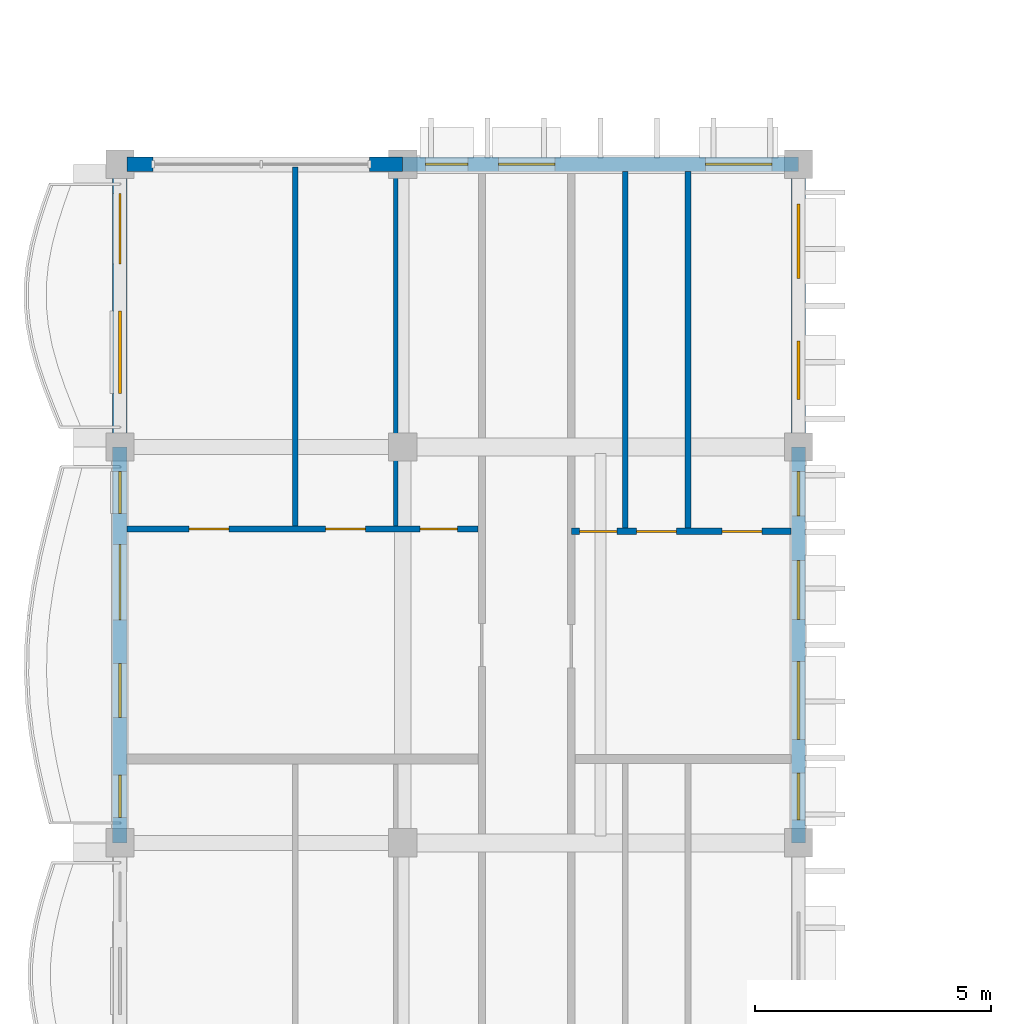
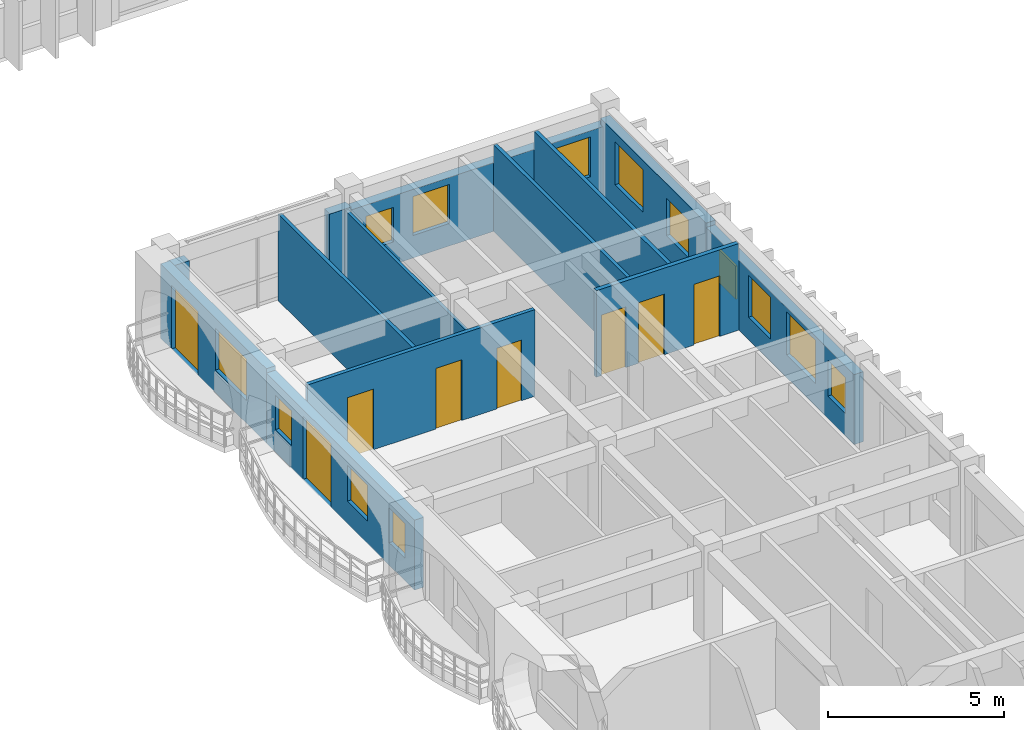
# One storey, part 28 of 76: 13 walls, 13 windows, 8 doors, 21 openings.
"""IFC4 building model written with IfcOpenShell, lengths in metres."""

from ifc_helpers import new_model, si_unit, direction, frame, frame_2d, origin, place, context, subcontext, project, spatial, rectangle, extrude, material, layer, layer_set, type_object, element, fill, save


model = new_model("IFC4")

# Units and contexts
model_context = context("Model", 3, precision=1e-05, world=origin(), true_north=direction((0.0, 1.0)))
body_context = subcontext(model_context, "Body", "Model", "MODEL_VIEW")
ifc_project = project(units=[si_unit("LENGTHUNIT", "METRE"), si_unit("AREAUNIT", "SQUARE_METRE"), si_unit("VOLUMEUNIT", "CUBIC_METRE"), si_unit("PLANEANGLEUNIT", "RADIAN"), si_unit("MASSUNIT", "GRAM", prefix="KILO"), si_unit("THERMODYNAMICTEMPERATUREUNIT", "KELVIN")], contexts=[model_context])

# Site, building, storey
site_placement = place(None, origin())
site = spatial("IfcSite", under=ifc_project, at=site_placement, CompositionType="ELEMENT")
building_placement = place(site_placement, origin())
building = spatial("IfcBuilding", under=site, at=building_placement, Name="Thalorik Housing Commons", CompositionType="ELEMENT")
storey_placement = place(building_placement, frame((0.0, 0.0, 18.0)))
storey = spatial("IfcBuildingStorey", under=building, at=storey_placement, Name="L05", CompositionType="ELEMENT", Elevation=18.0)

# Wall, openings, windows
ifc_material_1 = material(Name="White precast concrete C40/50", Category="concrete")
ifc_layer_1 = layer(ifc_material_1, 0.304931640625, Name="White precast concrete C40/50", Category="concrete")
ifc_layer_set_1 = layer_set([ifc_layer_1], Name="White precast concrete C40/50")
wall_type_1 = type_object("IfcWallType", Name="ARC-WAL-EXT-305", PredefinedType="STANDARD", material=ifc_layer_set_1)
wall_1_placement = place(storey_placement, frame((22.800048828125, 43.199951171875, 0.0), z_axis=(0.0, 0.0, 1.0), x_axis=(0.0, 1.0, 0.0)))
wall_1 = element("IfcWall", 1, at=wall_1_placement, inside=storey, type_object=wall_type_1, Name="L05 Exterior Wall WAL-EXT-L05-C-0964", PredefinedType="STANDARD", context=body_context, shape_type="SweptSolid", body=[
    extrude(rectangle(XDim=8.400146484375, YDim=0.304931640625, at=frame_2d((4.2001953125, 0.0))), origin(), (0.0, 0.0, 1.0), 2.425048828125),
])
opening_1_placement = place(wall_1_placement, frame((0.485107421875, 0.0, 0.780029296875)))
opening_1 = element("IfcOpeningElement", 2, at=opening_1_placement, cuts=wall_1, Name="Opening W-02", PredefinedType="OPENING", context=body_context, shape_type="SweptSolid", body=[
    extrude(rectangle(XDim=1.0, YDim=1.25, at=frame_2d((0.5, 0.625))), frame((0.0, 0.16259765625, 0.0), z_axis=(0.0, -1.0, 0.0), x_axis=(1.0, 0.0, 0.0)), (0.0, 0.0, 1.0), 0.324951171875),
])
opening_2_placement = place(wall_1_placement, frame((2.197265625, 0.0, 0.780029296875)))
opening_2 = element("IfcOpeningElement", 3, at=opening_2_placement, cuts=wall_1, Name="Opening W-15", PredefinedType="OPENING", context=body_context, shape_type="SweptSolid", body=[
    extrude(rectangle(XDim=1.64990234375, YDim=1.5, at=frame_2d((0.824951171875, 0.75))), frame((0.0, 0.16259765625, 0.0), z_axis=(0.0, -1.0, 0.0), x_axis=(1.0, 0.0, 0.0)), (0.0, 0.0, 1.0), 0.324951171875),
])
opening_3_placement = place(wall_1_placement, frame((4.74169921875, 0.0, 0.780029296875)))
opening_3 = element("IfcOpeningElement", 4, at=opening_3_placement, cuts=wall_1, Name="Opening W-47", PredefinedType="OPENING", context=body_context, shape_type="SweptSolid", body=[
    extrude(rectangle(XDim=1.25, YDim=1.449951171875, at=frame_2d((0.625, 0.72509765625))), frame((0.0, 0.16259765625, 0.0), z_axis=(0.0, -1.0, 0.0), x_axis=(1.0, 0.0, 0.0)), (0.0, 0.0, 1.0), 0.324951171875),
])
opening_4_placement = place(wall_1_placement, frame((6.934326171875, 0.0, 0.780029296875)))
opening_4 = element("IfcOpeningElement", 5, at=opening_4_placement, cuts=wall_1, Name="Opening W-43", PredefinedType="OPENING", context=body_context, shape_type="SweptSolid", body=[
    extrude(rectangle(XDim=0.949951171875, YDim=1.14990234375, at=frame_2d((0.47509765625, 0.574951171875))), frame((0.0, 0.16259765625, 0.0), z_axis=(0.0, -1.0, 0.0), x_axis=(1.0, 0.0, 0.0)), (0.0, 0.0, 1.0), 0.324951171875),
])
ifc_material_2 = material(Name="Anodised aluminium and solar-control low-E glass", Category="aluminium")
window_type_1 = type_object("IfcWindowType", Name="ARC-WIN-02", PartitioningType="SINGLE_PANEL", PredefinedType="WINDOW", material=ifc_material_2)
window_1_placement = place(opening_1_placement, origin())
window_1 = element("IfcWindow", 6, at=window_1_placement, inside=storey, type_object=window_type_1, Name="L05 Facade Window 1782", OverallHeight=1.25, OverallWidth=1.0, PartitioningType="SINGLE_PANEL", PredefinedType="WINDOW", context=body_context, shape_type="SweptSolid", body=[
    extrude(rectangle(XDim=1.0, YDim=1.25, at=frame_2d((0.5, 0.625))), frame((0.0, 0.030029296875, 0.0), z_axis=(0.0, -1.0, 0.0), x_axis=(1.0, 0.0, 0.0)), (0.0, 0.0, 1.0), 0.06005859375),
])
fill(opening_1, window_1)
window_type_2 = type_object("IfcWindowType", Name="ARC-WIN-15", PartitioningType="DOUBLE_PANEL_VERTICAL", PredefinedType="WINDOW", material=ifc_material_2)
window_2_placement = place(opening_2_placement, origin())
window_2 = element("IfcWindow", 7, at=window_2_placement, inside=storey, type_object=window_type_2, Name="L05 Facade Window 1783", OverallHeight=1.5, OverallWidth=1.64990234375, PartitioningType="DOUBLE_PANEL_VERTICAL", PredefinedType="WINDOW", context=body_context, shape_type="SweptSolid", body=[
    extrude(rectangle(XDim=1.64990234375, YDim=1.5, at=frame_2d((0.824951171875, 0.75))), frame((0.0, 0.030029296875, 0.0), z_axis=(0.0, -1.0, 0.0), x_axis=(1.0, 0.0, 0.0)), (0.0, 0.0, 1.0), 0.06005859375),
])
fill(opening_2, window_2)
window_type_3 = type_object("IfcWindowType", Name="ARC-WIN-43", PartitioningType="SINGLE_PANEL", PredefinedType="WINDOW", material=ifc_material_2)
window_3_placement = place(opening_4_placement, origin())
window_3 = element("IfcWindow", 8, at=window_3_placement, inside=storey, type_object=window_type_3, Name="L05 Facade Window 1785", OverallHeight=1.14990234375, OverallWidth=0.949951171875, PartitioningType="SINGLE_PANEL", PredefinedType="WINDOW", context=body_context, shape_type="SweptSolid", body=[
    extrude(rectangle(XDim=0.949951171875, YDim=1.14990234375, at=frame_2d((0.47509765625, 0.574951171875))), frame((0.0, 0.030029296875, 0.0), z_axis=(0.0, -1.0, 0.0), x_axis=(1.0, 0.0, 0.0)), (0.0, 0.0, 1.0), 0.06005859375),
])
fill(opening_4, window_3)
window_type_4 = type_object("IfcWindowType", Name="ARC-WIN-47", PartitioningType="SINGLE_PANEL", PredefinedType="WINDOW", material=ifc_material_2)
window_4_placement = place(opening_3_placement, origin())
window_4 = element("IfcWindow", 9, at=window_4_placement, inside=storey, type_object=window_type_4, Name="L05 Facade Window 1784", OverallHeight=1.449951171875, OverallWidth=1.25, PartitioningType="SINGLE_PANEL", PredefinedType="WINDOW", context=body_context, shape_type="SweptSolid", body=[
    extrude(rectangle(XDim=1.25, YDim=1.449951171875, at=frame_2d((0.625, 0.72509765625))), frame((0.0, 0.030029296875, 0.0), z_axis=(0.0, -1.0, 0.0), x_axis=(1.0, 0.0, 0.0)), (0.0, 0.0, 1.0), 0.06005859375),
])
fill(opening_3, window_4)

wall_2_placement = place(storey_placement, frame((22.800048828125, 51.60009765625, 0.0), z_axis=(0.0, 0.0, 1.0), x_axis=(0.0, 1.0, 0.0)))
wall_2 = element("IfcWall", 10, at=wall_2_placement, inside=storey, type_object=wall_type_1, Name="L05 Exterior Wall WAL-EXT-L05-C-0965", PredefinedType="STANDARD", context=body_context, shape_type="SweptSolid", body=[
    extrude(rectangle(XDim=6.0, YDim=0.304931640625, at=frame_2d((3.0, 0.0))), origin(), (0.0, 0.0, 1.0), 2.574951171875),
])
opening_5_placement = place(wall_2_placement, frame((1.0048828125, 0.0, 0.780029296875)))
opening_5 = element("IfcOpeningElement", 11, at=opening_5_placement, cuts=wall_2, Name="Opening W-46", PredefinedType="OPENING", context=body_context, shape_type="SweptSolid", body=[
    extrude(rectangle(XDim=1.25, YDim=1.300048828125, at=frame_2d((0.625, 0.64990234375))), frame((0.0, 0.16259765625, 0.0), z_axis=(0.0, -1.0, 0.0), x_axis=(1.0, 0.0, 0.0)), (0.0, 0.0, 1.0), 0.324951171875),
])
opening_6_placement = place(wall_2_placement, frame((3.580078125, 0.0, 0.780029296875)))
opening_6 = element("IfcOpeningElement", 12, at=opening_6_placement, cuts=wall_2, Name="Opening W-53", PredefinedType="OPENING", context=body_context, shape_type="SweptSolid", body=[
    extrude(rectangle(XDim=1.580078125, YDim=1.47998046875, at=frame_2d((0.7900390625, 0.739990234375))), frame((0.0, 0.16259765625, 0.0), z_axis=(0.0, -1.0, 0.0), x_axis=(1.0, 0.0, 0.0)), (0.0, 0.0, 1.0), 0.324951171875),
])
window_type_5 = type_object("IfcWindowType", Name="ARC-WIN-46", PartitioningType="SINGLE_PANEL", PredefinedType="WINDOW", material=ifc_material_2)
window_5_placement = place(opening_5_placement, origin())
window_5 = element("IfcWindow", 13, at=window_5_placement, inside=storey, type_object=window_type_5, Name="L05 Facade Window 1786", OverallHeight=1.300048828125, OverallWidth=1.25, PartitioningType="SINGLE_PANEL", PredefinedType="WINDOW", context=body_context, shape_type="SweptSolid", body=[
    extrude(rectangle(XDim=1.25, YDim=1.300048828125, at=frame_2d((0.625, 0.64990234375))), frame((0.0, 0.030029296875, 0.0), z_axis=(0.0, -1.0, 0.0), x_axis=(1.0, 0.0, 0.0)), (0.0, 0.0, 1.0), 0.06005859375),
])
fill(opening_5, window_5)
window_type_6 = type_object("IfcWindowType", Name="ARC-WIN-53", PartitioningType="SINGLE_PANEL", PredefinedType="WINDOW", material=ifc_material_2)
window_6_placement = place(opening_6_placement, origin())
window_6 = element("IfcWindow", 14, at=window_6_placement, inside=storey, type_object=window_type_6, Name="L05 Facade Window 1787", OverallHeight=1.47998046875, OverallWidth=1.580078125, PartitioningType="SINGLE_PANEL", PredefinedType="WINDOW", context=body_context, shape_type="SweptSolid", body=[
    extrude(rectangle(XDim=1.580078125, YDim=1.47998046875, at=frame_2d((0.7900390625, 0.739990234375))), frame((0.0, 0.030029296875, 0.0), z_axis=(0.0, -1.0, 0.0), x_axis=(1.0, 0.0, 0.0)), (0.0, 0.0, 1.0), 0.06005859375),
])
fill(opening_6, window_6)

wall_3_placement = place(storey_placement, frame((22.800048828125, 57.60009765625, 0.0), z_axis=(0.0, 0.0, 1.0), x_axis=(-1.0, 0.0, 0.0)))
wall_3 = element("IfcWall", 15, at=wall_3_placement, inside=storey, type_object=wall_type_1, Name="L05 Exterior Wall WAL-EXT-L05-C-0966", PredefinedType="STANDARD", context=body_context, shape_type="SweptSolid", body=[
    extrude(rectangle(XDim=8.400146484375, YDim=0.304931640625, at=frame_2d((4.2001953125, 0.0))), origin(), (0.0, 0.0, 1.0), 2.375),
])
opening_7_placement = place(wall_3_placement, frame((0.557373046875, 0.0, 0.780029296875)))
opening_7 = element("IfcOpeningElement", 16, at=opening_7_placement, cuts=wall_3, Name="Opening W-50", PredefinedType="OPENING", context=body_context, shape_type="SweptSolid", body=[
    extrude(rectangle(XDim=1.419921875, YDim=1.3798828125, at=frame_2d((0.7099609375, 0.68994140625))), frame((0.0, 0.16259765625, 0.0), z_axis=(0.0, -1.0, 0.0), x_axis=(1.0, 0.0, 0.0)), (0.0, 0.0, 1.0), 0.324951171875),
])
opening_8_placement = place(wall_3_placement, frame((5.169921875, 0.0, 0.780029296875)))
opening_8 = element("IfcOpeningElement", 17, at=opening_8_placement, cuts=wall_3, Name="Opening W-04", PredefinedType="OPENING", context=body_context, shape_type="SweptSolid", body=[
    extrude(rectangle(XDim=1.199951171875, YDim=1.35009765625, at=frame_2d((0.60009765625, 0.675048828125))), frame((0.0, 0.16259765625, 0.0), z_axis=(0.0, -1.0, 0.0), x_axis=(1.0, 0.0, 0.0)), (0.0, 0.0, 1.0), 0.324951171875),
])
opening_9_placement = place(wall_3_placement, frame((7.014892578125, 0.0, 0.780029296875)))
opening_9 = element("IfcOpeningElement", 18, at=opening_9_placement, cuts=wall_3, Name="Opening W-01", PredefinedType="OPENING", context=body_context, shape_type="SweptSolid", body=[
    extrude(rectangle(XDim=0.89990234375, YDim=1.199951171875, at=frame_2d((0.449951171875, 0.60009765625))), frame((0.0, 0.16259765625, 0.0), z_axis=(0.0, -1.0, 0.0), x_axis=(1.0, 0.0, 0.0)), (0.0, 0.0, 1.0), 0.324951171875),
])
window_type_7 = type_object("IfcWindowType", Name="ARC-WIN-01", PartitioningType="SINGLE_PANEL", PredefinedType="WINDOW", material=ifc_material_2)
window_7_placement = place(opening_9_placement, origin())
window_7 = element("IfcWindow", 19, at=window_7_placement, inside=storey, type_object=window_type_7, Name="L05 Facade Window 1790", OverallHeight=1.199951171875, OverallWidth=0.89990234375, PartitioningType="SINGLE_PANEL", PredefinedType="WINDOW", context=body_context, shape_type="SweptSolid", body=[
    extrude(rectangle(XDim=0.89990234375, YDim=1.199951171875, at=frame_2d((0.449951171875, 0.60009765625))), frame((0.0, 0.030029296875, 0.0), z_axis=(0.0, -1.0, 0.0), x_axis=(1.0, 0.0, 0.0)), (0.0, 0.0, 1.0), 0.06005859375),
])
fill(opening_9, window_7)
window_type_8 = type_object("IfcWindowType", Name="ARC-WIN-04", PartitioningType="SINGLE_PANEL", PredefinedType="WINDOW", material=ifc_material_2)
window_8_placement = place(opening_8_placement, origin())
window_8 = element("IfcWindow", 20, at=window_8_placement, inside=storey, type_object=window_type_8, Name="L05 Facade Window 1789", OverallHeight=1.35009765625, OverallWidth=1.199951171875, PartitioningType="SINGLE_PANEL", PredefinedType="WINDOW", context=body_context, shape_type="SweptSolid", body=[
    extrude(rectangle(XDim=1.199951171875, YDim=1.35009765625, at=frame_2d((0.60009765625, 0.675048828125))), frame((0.0, 0.030029296875, 0.0), z_axis=(0.0, -1.0, 0.0), x_axis=(1.0, 0.0, 0.0)), (0.0, 0.0, 1.0), 0.06005859375),
])
fill(opening_8, window_8)
window_type_9 = type_object("IfcWindowType", Name="ARC-WIN-50", PartitioningType="SINGLE_PANEL", PredefinedType="WINDOW", material=ifc_material_2)
window_9_placement = place(opening_7_placement, origin())
window_9 = element("IfcWindow", 21, at=window_9_placement, inside=storey, type_object=window_type_9, Name="L05 Facade Window 1788", OverallHeight=1.3798828125, OverallWidth=1.419921875, PartitioningType="SINGLE_PANEL", PredefinedType="WINDOW", context=body_context, shape_type="SweptSolid", body=[
    extrude(rectangle(XDim=1.419921875, YDim=1.3798828125, at=frame_2d((0.7099609375, 0.68994140625))), frame((0.0, 0.030029296875, 0.0), z_axis=(0.0, -1.0, 0.0), x_axis=(1.0, 0.0, 0.0)), (0.0, 0.0, 1.0), 0.06005859375),
])
fill(opening_7, window_9)

# Walls
wall_4_placement = place(storey_placement, frame((14.39990234375, 57.60009765625, 0.0), z_axis=(0.0, 0.0, 1.0), x_axis=(-1.0, 0.0, 0.0)))
element("IfcWall", 22, at=wall_4_placement, inside=storey, type_object=wall_type_1, Name="L05 Exterior Wall WAL-PIERL-L05-C-0967", PredefinedType="STANDARD", context=body_context, shape_type="SweptSolid", body=[
    extrude(rectangle(XDim=0.699951171875, YDim=0.304931640625, at=frame_2d((0.35009765625, 0.0))), origin(), (0.0, 0.0, 1.0), 2.47509765625),
])
wall_5_placement = place(storey_placement, frame((9.10009765625, 57.60009765625, 0.0), z_axis=(0.0, 0.0, 1.0), x_axis=(-1.0, 0.0, 0.0)))
element("IfcWall", 23, at=wall_5_placement, inside=storey, type_object=wall_type_1, Name="L05 Exterior Wall WAL-PIERR-L05-C-0967", PredefinedType="STANDARD", context=body_context, shape_type="SweptSolid", body=[
    extrude(rectangle(XDim=0.545654296875, YDim=0.304931640625, at=frame_2d((0.27294921875, 0.0))), origin(), (0.0, 0.0, 1.0), 2.47509765625),
])

# Wall, openings, door, window
wall_6_placement = place(storey_placement, frame((8.39990234375, 57.60009765625, 0.0), z_axis=(0.0, 0.0, 1.0), x_axis=(0.0, -1.0, 0.0)))
wall_6 = element("IfcWall", 24, at=wall_6_placement, inside=storey, type_object=wall_type_1, Name="L05 Exterior Wall WAL-EXT-L05-C-0968", PredefinedType="STANDARD", context=body_context, shape_type="SweptSolid", body=[
    extrude(rectangle(XDim=6.0, YDim=0.304931640625, at=frame_2d((3.0, 0.0))), origin(), (0.0, 0.0, 1.0), 2.574951171875),
])
opening_10_placement = place(wall_6_placement, frame((0.6201171875, 0.0, 0.0)))
opening_10 = element("IfcOpeningElement", 25, at=opening_10_placement, cuts=wall_6, Name="Opening ED-0318", PredefinedType="OPENING", context=body_context, shape_type="SweptSolid", body=[
    extrude(rectangle(XDim=1.5, YDim=2.199951171875, at=frame_2d((0.75, 1.10009765625))), frame((0.0, 0.16259765625, 0.0), z_axis=(0.0, -1.0, 0.0), x_axis=(1.0, 0.0, 0.0)), (0.0, 0.0, 1.0), 0.324951171875),
])
opening_11_placement = place(wall_6_placement, frame((3.114990234375, 0.0, 0.780029296875)))
opening_11 = element("IfcOpeningElement", 26, at=opening_11_placement, cuts=wall_6, Name="Opening W-17", PredefinedType="OPENING", context=body_context, shape_type="SweptSolid", body=[
    extrude(rectangle(XDim=1.75, YDim=1.449951171875, at=frame_2d((0.875, 0.72509765625))), frame((0.0, 0.16259765625, 0.0), z_axis=(0.0, -1.0, 0.0), x_axis=(1.0, 0.0, 0.0)), (0.0, 0.0, 1.0), 0.324951171875),
])
ifc_material_3 = material(Name="Anodised aluminium and laminated safety glass", Category="aluminium")
door_type_1 = type_object("IfcDoorType", Name="ARC-DR-BAL-1500", OperationType="NOTDEFINED", PredefinedType="DOOR", material=ifc_material_3)
door_1_placement = place(opening_10_placement, frame((1.5, 0.0, 0.0), z_axis=(0.0, 0.0, 1.0), x_axis=(-1.0, 0.0, 0.0)))
door_1 = element("IfcDoor", 27, at=door_1_placement, inside=storey, type_object=door_type_1, Name="L05 Block C Balcony Glazed Door", OperationType="SLIDING_TO_RIGHT", OverallHeight=2.199951171875, OverallWidth=1.5, PredefinedType="DOOR", context=body_context, shape_type="SweptSolid", body=[
    extrude(rectangle(XDim=1.5, YDim=2.199951171875, at=frame_2d((0.75, 1.10009765625))), frame((0.0, 0.02490234375, 0.0), z_axis=(0.0, -1.0, 0.0), x_axis=(1.0, 0.0, 0.0)), (0.0, 0.0, 1.0), 0.050048828125),
])
fill(opening_10, door_1)
window_type_10 = type_object("IfcWindowType", Name="ARC-WIN-17", PartitioningType="DOUBLE_PANEL_VERTICAL", PredefinedType="WINDOW", material=ifc_material_2)
window_10_placement = place(opening_11_placement, origin())
window_10 = element("IfcWindow", 28, at=window_10_placement, inside=storey, type_object=window_type_10, Name="L05 Facade Window 1791", OverallHeight=1.449951171875, OverallWidth=1.75, PartitioningType="DOUBLE_PANEL_VERTICAL", PredefinedType="WINDOW", context=body_context, shape_type="SweptSolid", body=[
    extrude(rectangle(XDim=1.75, YDim=1.449951171875, at=frame_2d((0.875, 0.72509765625))), frame((0.0, 0.030029296875, 0.0), z_axis=(0.0, -1.0, 0.0), x_axis=(1.0, 0.0, 0.0)), (0.0, 0.0, 1.0), 0.06005859375),
])
fill(opening_11, window_10)

# Wall, openings, door, windows
wall_7_placement = place(storey_placement, frame((8.39990234375, 51.60009765625, 0.0), z_axis=(0.0, 0.0, 1.0), x_axis=(0.0, -1.0, 0.0)))
wall_7 = element("IfcWall", 29, at=wall_7_placement, inside=storey, type_object=wall_type_1, Name="L05 Exterior Wall WAL-EXT-L05-C-0969", PredefinedType="STANDARD", context=body_context, shape_type="SweptSolid", body=[
    extrude(rectangle(XDim=8.400146484375, YDim=0.304931640625, at=frame_2d((4.2001953125, 0.0))), origin(), (0.0, 0.0, 1.0), 2.425048828125),
])
opening_12_placement = place(wall_7_placement, frame((2.070068359375, 0.0, 0.0)))
opening_12 = element("IfcOpeningElement", 30, at=opening_12_placement, cuts=wall_7, Name="Opening ED-0319", PredefinedType="OPENING", context=body_context, shape_type="SweptSolid", body=[
    extrude(rectangle(XDim=1.60009765625, YDim=2.199951171875, at=frame_2d((0.800048828125, 1.10009765625))), frame((0.0, 0.16259765625, 0.0), z_axis=(0.0, -1.0, 0.0), x_axis=(1.0, 0.0, 0.0)), (0.0, 0.0, 1.0), 0.324951171875),
])
opening_13_placement = place(wall_7_placement, frame((0.514892578125, 0.0, 0.780029296875)))
opening_13 = element("IfcOpeningElement", 31, at=opening_13_placement, cuts=wall_7, Name="Opening W-01", PredefinedType="OPENING", context=body_context, shape_type="SweptSolid", body=[
    extrude(rectangle(XDim=0.89990234375, YDim=1.199951171875, at=frame_2d((0.449951171875, 0.60009765625))), frame((0.0, 0.16259765625, 0.0), z_axis=(0.0, -1.0, 0.0), x_axis=(1.0, 0.0, 0.0)), (0.0, 0.0, 1.0), 0.324951171875),
])
opening_14_placement = place(wall_7_placement, frame((4.594970703125, 0.0, 0.780029296875)))
opening_14 = element("IfcOpeningElement", 32, at=opening_14_placement, cuts=wall_7, Name="Opening W-45", PredefinedType="OPENING", context=body_context, shape_type="SweptSolid", body=[
    extrude(rectangle(XDim=1.14990234375, YDim=1.25, at=frame_2d((0.574951171875, 0.625))), frame((0.0, 0.16259765625, 0.0), z_axis=(0.0, -1.0, 0.0), x_axis=(1.0, 0.0, 0.0)), (0.0, 0.0, 1.0), 0.324951171875),
])
opening_15_placement = place(wall_7_placement, frame((6.965087890625, 0.0, 0.780029296875)))
opening_15 = element("IfcOpeningElement", 33, at=opening_15_placement, cuts=wall_7, Name="Opening W-01", PredefinedType="OPENING", context=body_context, shape_type="SweptSolid", body=[
    extrude(rectangle(XDim=0.89990234375, YDim=1.199951171875, at=frame_2d((0.449951171875, 0.60009765625))), frame((0.0, 0.16259765625, 0.0), z_axis=(0.0, -1.0, 0.0), x_axis=(1.0, 0.0, 0.0)), (0.0, 0.0, 1.0), 0.324951171875),
])
door_type_2 = type_object("IfcDoorType", Name="ARC-DR-BAL-1600", OperationType="NOTDEFINED", PredefinedType="DOOR", material=ifc_material_3)
door_2_placement = place(opening_12_placement, frame((1.60009765625, 0.0, 0.0), z_axis=(0.0, 0.0, 1.0), x_axis=(-1.0, 0.0, 0.0)))
door_2 = element("IfcDoor", 34, at=door_2_placement, inside=storey, type_object=door_type_2, Name="L05 Block C Balcony Glazed Door", OperationType="SLIDING_TO_LEFT", OverallHeight=2.199951171875, OverallWidth=1.60009765625, PredefinedType="DOOR", context=body_context, shape_type="SweptSolid", body=[
    extrude(rectangle(XDim=1.60009765625, YDim=2.199951171875, at=frame_2d((0.800048828125, 1.10009765625))), frame((0.0, 0.02490234375, 0.0), z_axis=(0.0, -1.0, 0.0), x_axis=(1.0, 0.0, 0.0)), (0.0, 0.0, 1.0), 0.050048828125),
])
fill(opening_12, door_2)
window_11_placement = place(opening_13_placement, origin())
window_11 = element("IfcWindow", 35, at=window_11_placement, inside=storey, type_object=window_type_7, Name="L05 Facade Window 1792", OverallHeight=1.199951171875, OverallWidth=0.89990234375, PartitioningType="SINGLE_PANEL", PredefinedType="WINDOW", context=body_context, shape_type="SweptSolid", body=[
    extrude(rectangle(XDim=0.89990234375, YDim=1.199951171875, at=frame_2d((0.449951171875, 0.60009765625))), frame((0.0, 0.030029296875, 0.0), z_axis=(0.0, -1.0, 0.0), x_axis=(1.0, 0.0, 0.0)), (0.0, 0.0, 1.0), 0.06005859375),
])
fill(opening_13, window_11)
window_12_placement = place(opening_15_placement, origin())
window_12 = element("IfcWindow", 36, at=window_12_placement, inside=storey, type_object=window_type_7, Name="L05 Facade Window 1794", OverallHeight=1.199951171875, OverallWidth=0.89990234375, PartitioningType="SINGLE_PANEL", PredefinedType="WINDOW", context=body_context, shape_type="SweptSolid", body=[
    extrude(rectangle(XDim=0.89990234375, YDim=1.199951171875, at=frame_2d((0.449951171875, 0.60009765625))), frame((0.0, 0.030029296875, 0.0), z_axis=(0.0, -1.0, 0.0), x_axis=(1.0, 0.0, 0.0)), (0.0, 0.0, 1.0), 0.06005859375),
])
fill(opening_15, window_12)
window_type_11 = type_object("IfcWindowType", Name="ARC-WIN-45", PartitioningType="SINGLE_PANEL", PredefinedType="WINDOW", material=ifc_material_2)
window_13_placement = place(opening_14_placement, origin())
window_13 = element("IfcWindow", 37, at=window_13_placement, inside=storey, type_object=window_type_11, Name="L05 Facade Window 1793", OverallHeight=1.25, OverallWidth=1.14990234375, PartitioningType="SINGLE_PANEL", PredefinedType="WINDOW", context=body_context, shape_type="SweptSolid", body=[
    extrude(rectangle(XDim=1.14990234375, YDim=1.25, at=frame_2d((0.574951171875, 0.625))), frame((0.0, 0.030029296875, 0.0), z_axis=(0.0, -1.0, 0.0), x_axis=(1.0, 0.0, 0.0)), (0.0, 0.0, 1.0), 0.06005859375),
])
fill(opening_14, window_13)

# Walls
ifc_material_4 = material(Name="Gypsum light stud partition", Category="masonry")
ifc_layer_2 = layer(ifc_material_4, 0.10009765625, Name="Gypsum light stud partition", Category="masonry")
ifc_layer_set_2 = layer_set([ifc_layer_2], Name="Gypsum light stud partition")
wall_type_2 = type_object("IfcWallType", Name="ARC-WAL-PART-100", PredefinedType="PARTITIONING", material=ifc_layer_set_2)
wall_8_placement = place(storey_placement, frame((14.251220703125, 49.924560546875, 0.0), z_axis=(0.0, 0.0, 1.0), x_axis=(0.0, 1.0, 0.0)))
element("IfcWall", 38, at=wall_8_placement, inside=storey, type_object=wall_type_2, Name="L05 Unit 3 Wet Wall", PredefinedType="PARTITIONING", context=body_context, shape_type="SweptSolid", body=[
    extrude(rectangle(XDim=7.52099609375, YDim=0.10009765625, at=frame_2d((3.760498046875, 0.0))), origin(), (0.0, 0.0, 1.0), 2.425048828125),
])
ifc_material_5 = material(Name="Gypsum moisture-resistant partition", Category="masonry")
ifc_layer_3 = layer(ifc_material_5, 0.114990234375, Name="Gypsum moisture-resistant partition", Category="masonry")
ifc_layer_set_3 = layer_set([ifc_layer_3], Name="Gypsum moisture-resistant partition")
wall_type_3 = type_object("IfcWallType", Name="ARC-WAL-PART-115", PredefinedType="PARTITIONING", material=ifc_layer_set_3)
wall_9_placement = place(storey_placement, frame((12.11767578125, 49.924560546875, 0.0), z_axis=(0.0, 0.0, 1.0), x_axis=(0.0, 1.0, 0.0)))
element("IfcWall", 39, at=wall_9_placement, inside=storey, type_object=wall_type_3, Name="L05 Unit 3 Bedroom Partition", PredefinedType="PARTITIONING", context=body_context, shape_type="SweptSolid", body=[
    extrude(rectangle(XDim=7.615478515625, YDim=0.114990234375, at=frame_2d((3.8076171875, 0.0))), origin(), (0.0, 0.0, 1.0), 3.0),
])
wall_10_placement = place(storey_placement, frame((19.122314453125, 49.880859375, 0.0), z_axis=(0.0, 0.0, 1.0), x_axis=(0.0, 1.0, 0.0)))
element("IfcWall", 40, at=wall_10_placement, inside=storey, type_object=wall_type_3, Name="L05 Unit 3B Wet Wall", PredefinedType="PARTITIONING", context=body_context, shape_type="SweptSolid", body=[
    extrude(rectangle(XDim=7.564697265625, YDim=0.114990234375, at=frame_2d((3.7822265625, 0.0))), origin(), (0.0, 0.0, 1.0), 3.0),
])

# Wall, openings, doors
ifc_material_6 = material(Name="Gypsum acoustic stud partition", Category="masonry")
ifc_layer_4 = layer(ifc_material_6, 0.125, Name="Gypsum acoustic stud partition", Category="masonry")
ifc_layer_set_4 = layer_set([ifc_layer_4], Name="Gypsum acoustic stud partition")
wall_type_4 = type_object("IfcWallType", Name="ARC-WAL-PART-125", PredefinedType="PARTITIONING", material=ifc_layer_set_4)
wall_11_placement = place(storey_placement, frame((8.554443359375, 49.860107421875, 0.0), z_axis=(0.0, 0.0, 1.0), x_axis=(1.0, 0.0, 0.0)))
wall_11 = element("IfcWall", 41, at=wall_11_placement, inside=storey, type_object=wall_type_4, Name="L05 Unit 3 Spine Partition", PredefinedType="PARTITIONING", context=body_context, shape_type="SweptSolid", body=[
    extrude(rectangle(XDim=7.448486328125, YDim=0.125, at=frame_2d((3.72412109375, 0.0))), origin(), (0.0, 0.0, 1.0), 3.0),
])
opening_16_placement = place(wall_11_placement, frame((1.309326171875, 0.0, 0.0)))
opening_16 = element("IfcOpeningElement", 42, at=opening_16_placement, cuts=wall_11, Name="Opening ID-1758", PredefinedType="OPENING", context=body_context, shape_type="SweptSolid", body=[
    extrude(rectangle(XDim=0.85009765625, YDim=2.10009765625, at=frame_2d((0.425048828125, 1.050048828125))), frame((0.0, 0.072509765625, 0.0), z_axis=(0.0, -1.0, 0.0), x_axis=(1.0, 0.0, 0.0)), (0.0, 0.0, 1.0), 0.14501953125),
])
opening_17_placement = place(wall_11_placement, frame((4.204833984375, 0.0, 0.0)))
opening_17 = element("IfcOpeningElement", 43, at=opening_17_placement, cuts=wall_11, Name="Opening ID-1759", PredefinedType="OPENING", context=body_context, shape_type="SweptSolid", body=[
    extrude(rectangle(XDim=0.85009765625, YDim=2.10009765625, at=frame_2d((0.425048828125, 1.050048828125))), frame((0.0, 0.072509765625, 0.0), z_axis=(0.0, -1.0, 0.0), x_axis=(1.0, 0.0, 0.0)), (0.0, 0.0, 1.0), 0.14501953125),
])
opening_18_placement = place(wall_11_placement, frame((6.211181640625, 0.0, 0.0)))
opening_18 = element("IfcOpeningElement", 44, at=opening_18_placement, cuts=wall_11, Name="Opening ID-1760", PredefinedType="OPENING", context=body_context, shape_type="SweptSolid", body=[
    extrude(rectangle(XDim=0.800048828125, YDim=2.10009765625, at=frame_2d((0.39990234375, 1.050048828125))), frame((0.0, 0.072509765625, 0.0), z_axis=(0.0, -1.0, 0.0), x_axis=(1.0, 0.0, 0.0)), (0.0, 0.0, 1.0), 0.14501953125),
])
ifc_material_7 = material(Name="Moisture-resistant timber", Category="wood")
door_type_3 = type_object("IfcDoorType", Name="ARC-DR-INT-800", OperationType="NOTDEFINED", PredefinedType="DOOR", material=ifc_material_7)
door_3_placement = place(opening_18_placement, origin())
door_3 = element("IfcDoor", 45, at=door_3_placement, inside=storey, type_object=door_type_3, Name="L05 Flat Bathroom Door", OperationType="SINGLE_SWING_LEFT", OverallHeight=2.10009765625, OverallWidth=0.800048828125, PredefinedType="DOOR", context=body_context, shape_type="SweptSolid", body=[
    extrude(rectangle(XDim=0.800048828125, YDim=2.10009765625, at=frame_2d((0.39990234375, 1.050048828125))), frame((0.0, 0.02490234375, 0.0), z_axis=(0.0, -1.0, 0.0), x_axis=(1.0, 0.0, 0.0)), (0.0, 0.0, 1.0), 0.050048828125),
])
fill(opening_18, door_3)
ifc_material_8 = material(Name="Engineered oak timber", Category="wood")
door_type_4 = type_object("IfcDoorType", Name="ARC-DR-INT-850", OperationType="NOTDEFINED", PredefinedType="DOOR", material=ifc_material_8)
door_4_placement = place(opening_16_placement, origin())
door_4 = element("IfcDoor", 46, at=door_4_placement, inside=storey, type_object=door_type_4, Name="L05 Master Bedroom Door", OperationType="SINGLE_SWING_LEFT", OverallHeight=2.10009765625, OverallWidth=0.85009765625, PredefinedType="DOOR", context=body_context, shape_type="SweptSolid", body=[
    extrude(rectangle(XDim=0.85009765625, YDim=2.10009765625, at=frame_2d((0.425048828125, 1.050048828125))), frame((0.0, 0.02490234375, 0.0), z_axis=(0.0, -1.0, 0.0), x_axis=(1.0, 0.0, 0.0)), (0.0, 0.0, 1.0), 0.050048828125),
])
fill(opening_16, door_4)
door_5_placement = place(opening_17_placement, origin())
door_5 = element("IfcDoor", 47, at=door_5_placement, inside=storey, type_object=door_type_4, Name="L05 Eat-In Kitchen Door", OperationType="SINGLE_SWING_RIGHT", OverallHeight=2.10009765625, OverallWidth=0.85009765625, PredefinedType="DOOR", context=body_context, shape_type="SweptSolid", body=[
    extrude(rectangle(XDim=0.85009765625, YDim=2.10009765625, at=frame_2d((0.425048828125, 1.050048828125))), frame((0.0, 0.02490234375, 0.0), z_axis=(0.0, -1.0, 0.0), x_axis=(1.0, 0.0, 0.0)), (0.0, 0.0, 1.0), 0.050048828125),
])
fill(opening_17, door_5)

# Wall
wall_12_placement = place(storey_placement, frame((20.455078125, 49.880859375, 0.0), z_axis=(0.0, 0.0, 1.0), x_axis=(0.0, 1.0, 0.0)))
element("IfcWall", 48, at=wall_12_placement, inside=storey, type_object=wall_type_4, Name="L05 Unit 3B Bedroom Partition", PredefinedType="PARTITIONING", context=body_context, shape_type="SweptSolid", body=[
    extrude(rectangle(XDim=7.564697265625, YDim=0.125, at=frame_2d((3.7822265625, 0.0))), origin(), (0.0, 0.0, 1.0), 3.0),
])

# Wall, openings, doors
ifc_material_9 = material(Name="Ceramic masonry partition wall", Category="masonry")
ifc_layer_5 = layer(ifc_material_9, 0.139892578125, Name="Ceramic masonry partition wall", Category="masonry")
ifc_layer_set_5 = layer_set([ifc_layer_5], Name="Ceramic masonry partition wall")
wall_type_5 = type_object("IfcWallType", Name="ARC-WAL-PART-140", PredefinedType="PARTITIONING", material=ifc_layer_set_5)
wall_13_placement = place(storey_placement, frame((17.97998046875, 49.808837890625, 0.0), z_axis=(0.0, 0.0, 1.0), x_axis=(1.0, 0.0, 0.0)))
wall_13 = element("IfcWall", 49, at=wall_13_placement, inside=storey, type_object=wall_type_5, Name="L05 Unit 3B Spine Partition", PredefinedType="PARTITIONING", context=body_context, shape_type="SweptSolid", body=[
    extrude(rectangle(XDim=4.66552734375, YDim=0.139892578125, at=frame_2d((2.332763671875, 0.0))), origin(), (0.0, 0.0, 1.0), 3.0),
])
opening_19_placement = place(wall_13_placement, frame((0.171142578125, 0.0, 0.0)))
opening_19 = element("IfcOpeningElement", 50, at=opening_19_placement, cuts=wall_13, Name="Opening ID-1761", PredefinedType="OPENING", context=body_context, shape_type="SweptSolid", body=[
    extrude(rectangle(XDim=0.800048828125, YDim=2.10009765625, at=frame_2d((0.39990234375, 1.050048828125))), frame((0.0, 0.080078125, 0.0), z_axis=(0.0, -1.0, 0.0), x_axis=(1.0, 0.0, 0.0)), (0.0, 0.0, 1.0), 0.159912109375),
])
opening_20_placement = place(wall_13_placement, frame((1.3837890625, 0.0, 0.0)))
opening_20 = element("IfcOpeningElement", 51, at=opening_20_placement, cuts=wall_13, Name="Opening ID-1762", PredefinedType="OPENING", context=body_context, shape_type="SweptSolid", body=[
    extrude(rectangle(XDim=0.85009765625, YDim=2.10009765625, at=frame_2d((0.425048828125, 1.050048828125))), frame((0.0, 0.080078125, 0.0), z_axis=(0.0, -1.0, 0.0), x_axis=(1.0, 0.0, 0.0)), (0.0, 0.0, 1.0), 0.159912109375),
])
opening_21_placement = place(wall_13_placement, frame((3.192626953125, 0.0, 0.0)))
opening_21 = element("IfcOpeningElement", 52, at=opening_21_placement, cuts=wall_13, Name="Opening ID-1763", PredefinedType="OPENING", context=body_context, shape_type="SweptSolid", body=[
    extrude(rectangle(XDim=0.85009765625, YDim=2.10009765625, at=frame_2d((0.425048828125, 1.050048828125))), frame((0.0, 0.080078125, 0.0), z_axis=(0.0, -1.0, 0.0), x_axis=(1.0, 0.0, 0.0)), (0.0, 0.0, 1.0), 0.159912109375),
])
door_6_placement = place(opening_19_placement, origin())
door_6 = element("IfcDoor", 53, at=door_6_placement, inside=storey, type_object=door_type_3, Name="L05 Flat Bathroom Door", OperationType="SINGLE_SWING_RIGHT", OverallHeight=2.10009765625, OverallWidth=0.800048828125, PredefinedType="DOOR", context=body_context, shape_type="SweptSolid", body=[
    extrude(rectangle(XDim=0.800048828125, YDim=2.10009765625, at=frame_2d((0.39990234375, 1.050048828125))), frame((0.0, 0.02490234375, 0.0), z_axis=(0.0, -1.0, 0.0), x_axis=(1.0, 0.0, 0.0)), (0.0, 0.0, 1.0), 0.050048828125),
])
fill(opening_19, door_6)
door_7_placement = place(opening_20_placement, origin())
door_7 = element("IfcDoor", 54, at=door_7_placement, inside=storey, type_object=door_type_4, Name="L05 Galley Kitchen Door", OperationType="SINGLE_SWING_LEFT", OverallHeight=2.10009765625, OverallWidth=0.85009765625, PredefinedType="DOOR", context=body_context, shape_type="SweptSolid", body=[
    extrude(rectangle(XDim=0.85009765625, YDim=2.10009765625, at=frame_2d((0.425048828125, 1.050048828125))), frame((0.0, 0.02490234375, 0.0), z_axis=(0.0, -1.0, 0.0), x_axis=(1.0, 0.0, 0.0)), (0.0, 0.0, 1.0), 0.050048828125),
])
fill(opening_20, door_7)
door_8_placement = place(opening_21_placement, origin())
door_8 = element("IfcDoor", 55, at=door_8_placement, inside=storey, type_object=door_type_4, Name="L05 Master Bedroom Door", OperationType="SINGLE_SWING_RIGHT", OverallHeight=2.10009765625, OverallWidth=0.85009765625, PredefinedType="DOOR", context=body_context, shape_type="SweptSolid", body=[
    extrude(rectangle(XDim=0.85009765625, YDim=2.10009765625, at=frame_2d((0.425048828125, 1.050048828125))), frame((0.0, 0.02490234375, 0.0), z_axis=(0.0, -1.0, 0.0), x_axis=(1.0, 0.0, 0.0)), (0.0, 0.0, 1.0), 0.050048828125),
])
fill(opening_21, door_8)

save(model, "model.ifc")
